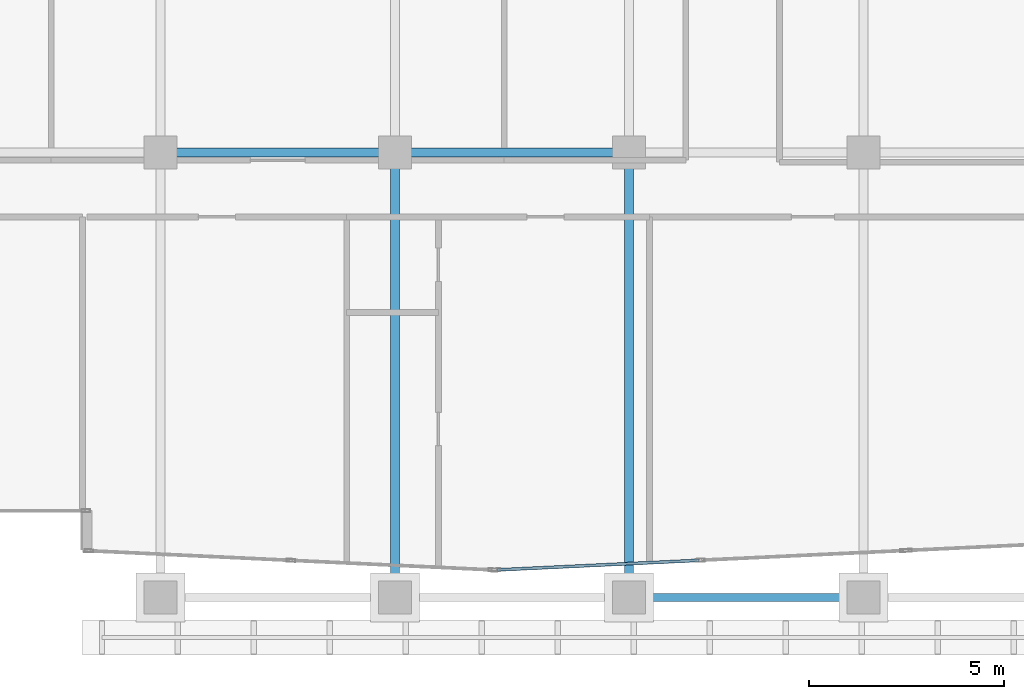
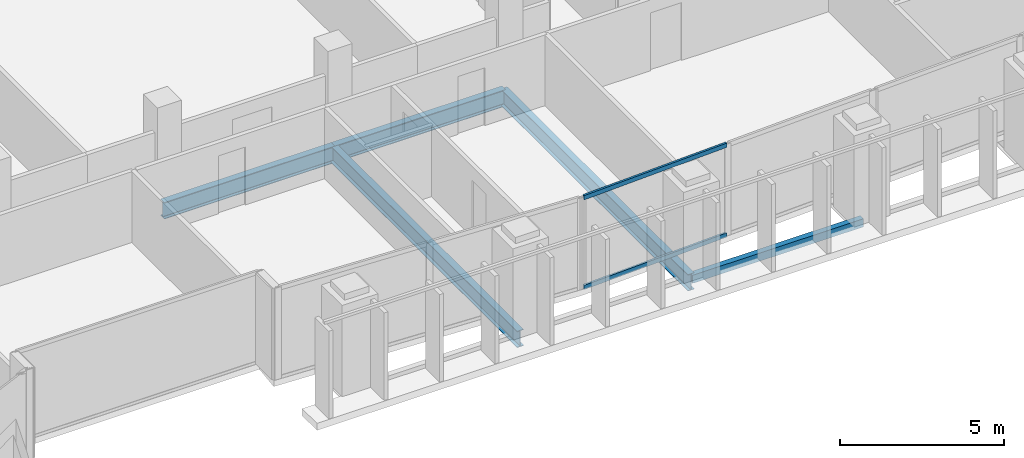
# One storey, part 6 of 29: 5 beams, 2 members, 1 element without a shape of its own.
"""IFC4 building model written with IfcOpenShell, lengths in metres."""

from ifc_helpers import new_model, si_unit, direction, frame, origin, origin_2d, place, context, subcontext, project, spatial, hollow_rectangle, i_section, extrude, material, layer, layer_set, material_profile, profile_set, type_object, element, aggregate, save


model = new_model("IFC4")

# Units and contexts
model_context = context("Model", 3, precision=1e-05, world=origin(), true_north=direction((0.0, 1.0)))
body_context = subcontext(model_context, "Body", "Model", "MODEL_VIEW")
ifc_project = project(units=[si_unit("LENGTHUNIT", "METRE"), si_unit("AREAUNIT", "SQUARE_METRE"), si_unit("VOLUMEUNIT", "CUBIC_METRE"), si_unit("PLANEANGLEUNIT", "RADIAN"), si_unit("MASSUNIT", "GRAM", prefix="KILO")], contexts=[model_context])

# Site, building, storey
site_placement = place(None, origin())
site = spatial("IfcSite", under=ifc_project, at=site_placement, CompositionType="ELEMENT")
building_placement = place(site_placement, origin())
building = spatial("IfcBuilding", under=site, at=building_placement, Name="Tanjung Sevakor Pilgrim Tower", CompositionType="ELEMENT")
storey_placement = place(building_placement, frame((0.0, 0.0, 162.030029296875)))
storey = spatial("IfcBuildingStorey", under=building, at=storey_placement, Name="L45", CompositionType="ELEMENT", Elevation=162.030029296875)

# Beams
ifc_material_1 = material(Name="Steel S355J2", Category="steel")
ifc_material_profile_1 = material_profile(ifc_material_1, i_section(OverallWidth=0.230224609375, OverallDepth=0.6171875, WebThickness=0.01318359375, FlangeThickness=0.022216796875, FilletRadius=0.0126953125, at=origin_2d()))
ifc_profile_set_1 = profile_set([ifc_material_profile_1], Name="Steel S355J2")
beam_type_1 = type_object("IfcBeamType", Name="BM-B-G3-UB_610x229x140", PredefinedType="BEAM", material=ifc_profile_set_1)
for number, where, z_axis, x_axis, name in (
    (1, (54.0, 24.60009765625, -0.528564453125), (1.0, 0.0, 0.0), (0.0, 1.0, 0.0), "L45 Primary Floor Girder MAIN Y246-04"),
    (2, (60.0, 24.60009765625, -0.528564453125), (1.0, 0.0, 0.0), (0.0, 1.0, 0.0), "L45 Primary Floor Girder MAIN Y246-05"),
):
    element("IfcBeam", number, at=place(storey_placement, frame(where, z_axis=z_axis, x_axis=x_axis)), inside=storey, type_object=beam_type_1, Name=name, PredefinedType="BEAM", context=body_context, shape_type="SweptSolid", body=[
        extrude(i_section(OverallWidth=0.230224609375, OverallDepth=0.6171875, WebThickness=0.01318359375, FlangeThickness=0.022216796875, FilletRadius=0.0126953125, at=origin_2d()), origin(), (0.0, 0.0, 1.0), 6.0),
    ])
ifc_material_2 = material(Name="Steel S355J2", Category="steel")
ifc_material_profile_2 = material_profile(ifc_material_2, i_section(OverallWidth=0.22900390625, OverallDepth=0.6123046875, WebThickness=0.011962890625, FlangeThickness=0.01953125, FilletRadius=0.0126953125, at=origin_2d()))
ifc_profile_set_2 = profile_set([ifc_material_profile_2], Name="Steel S355J2")
beam_type_2 = type_object("IfcBeamType", Name="BM-B-G4-UB_610x229x125", PredefinedType="BEAM", material=ifc_profile_set_2)
for number, where, z_axis, x_axis, name in (
    (3, (60.0, 13.199951171875, -0.526123046875), (0.0, 1.0, 0.0), (-1.0, 0.0, 0.0), "L45 MAIN Girder 014"),
    (4, (66.0, 13.199951171875, -0.526123046875), (0.0, 1.0, 0.0), (-1.0, 0.0, 0.0), "L45 MAIN Girder 017"),
):
    element("IfcBeam", number, at=place(storey_placement, frame(where, z_axis=z_axis, x_axis=x_axis)), inside=storey, type_object=beam_type_2, Name=name, PredefinedType="BEAM", context=body_context, shape_type="SweptSolid", body=[
        extrude(i_section(OverallWidth=0.22900390625, OverallDepth=0.6123046875, WebThickness=0.011962890625, FlangeThickness=0.01953125, FilletRadius=0.0126953125, at=origin_2d()), origin(), (0.0, 0.0, 1.0), 11.400146484375),
    ])
ifc_material_3 = material(Name="Steel S355J2", Category="steel")
ifc_material_profile_3 = material_profile(ifc_material_3, hollow_rectangle(XDim=0.199951171875, YDim=0.300048828125, WallThickness=0.012451171875, at=origin_2d()))
ifc_profile_set_3 = profile_set([ifc_material_profile_3], Name="Steel S355J2")
beam_type_3 = type_object("IfcBeamType", Name="BM-B-SP3-RHS_300x200x12.5", PredefinedType="SPANDREL", material=ifc_profile_set_3)
beam_placement = place(storey_placement, frame((66.0, 13.199951171875, -0.3701171875), z_axis=(1.0, 0.0, 0.0), x_axis=(0.0, 1.0, 0.0)))
element("IfcBeam", 5, at=beam_placement, inside=storey, type_object=beam_type_3, Name="L45 Spandrel MAIN S-11", PredefinedType="SPANDREL", context=body_context, shape_type="SweptSolid", body=[
    extrude(hollow_rectangle(XDim=0.199951171875, YDim=0.300048828125, WallThickness=0.012451171875, at=origin_2d()), origin(), (0.0, 0.0, 1.0), 6.0),
])

# Curtain wall, members
ifc_material_4 = material(Name="Aluminium 6063-T6 and Low-E Glass", Category="aluminium")
ifc_layer = layer(ifc_material_4, 0.199951171875)
ifc_layer_set = layer_set([ifc_layer], Name="CW-SYS-PRAY")
curtain_wall_type = type_object("IfcCurtainWallType", Name="CW-SYS-PRAY", PredefinedType="NOTDEFINED", material=ifc_layer_set)
curtain_wall_placement = place(storey_placement, origin())
curtain_wall = element("IfcCurtainWall", 6, at=curtain_wall_placement, inside=storey, type_object=curtain_wall_type, Name="L45 Curtain Wall CW-PRY-L45-10", PredefinedType="NOTDEFINED")
ifc_material_5 = material(Name="Aluminium 6063-T6", Category="aluminium")
ifc_material_profile_4 = material_profile(ifc_material_5, hollow_rectangle(XDim=0.074951171875, YDim=0.159912109375, WallThickness=0.00439453125, at=origin_2d()))
ifc_profile_set_4 = profile_set([ifc_material_profile_4], Name="Aluminium 6063-T6")
member_type = type_object("IfcMemberType", Name="TYPE-CWT-2", PredefinedType="USERDEFINED", material=ifc_profile_set_4)
member_1_placement = place(storey_placement, frame((62.625, 13.90869140625, 0.037353515625), z_axis=(0.998877954121, 0.04735855541, 0.0), x_axis=(-0.04735855541, 0.998877954121, 0.0)))
member_1 = element("IfcMember", 7, at=member_1_placement, type_object=member_type, Name="CW-PRY transom 1.1", ObjectType="TRANSOM", PredefinedType="USERDEFINED", context=body_context, shape_type="SweptSolid", body=[
    extrude(hollow_rectangle(XDim=0.074951171875, YDim=0.159912109375, WallThickness=0.00439453125, at=origin_2d()), origin(), (0.0, 0.0, 1.0), 5.16552734375),
])
member_2_placement = place(storey_placement, frame((62.625, 13.90869140625, 3.37255859375), z_axis=(0.998877954121, 0.04735855541, 0.0), x_axis=(-0.04735855541, 0.998877954121, 0.0)))
member_2 = element("IfcMember", 8, at=member_2_placement, type_object=member_type, Name="CW-PRY transom 1.2", ObjectType="TRANSOM", PredefinedType="USERDEFINED", context=body_context, shape_type="SweptSolid", body=[
    extrude(hollow_rectangle(XDim=0.074951171875, YDim=0.159912109375, WallThickness=0.00439453125, at=origin_2d()), origin(), (0.0, 0.0, 1.0), 5.16552734375),
])
aggregate(curtain_wall, [member_1, member_2])

save(model, "model.ifc")
